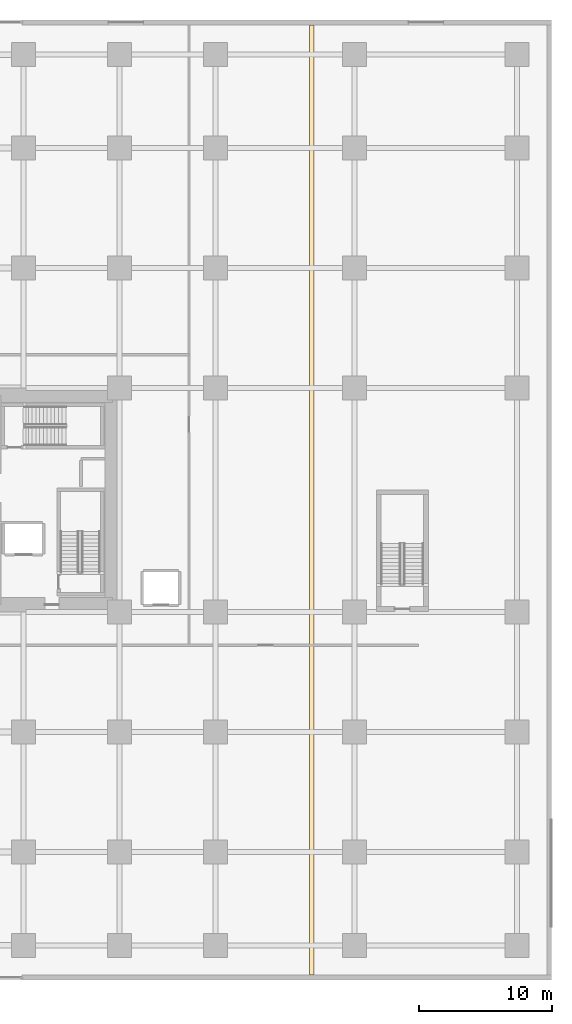
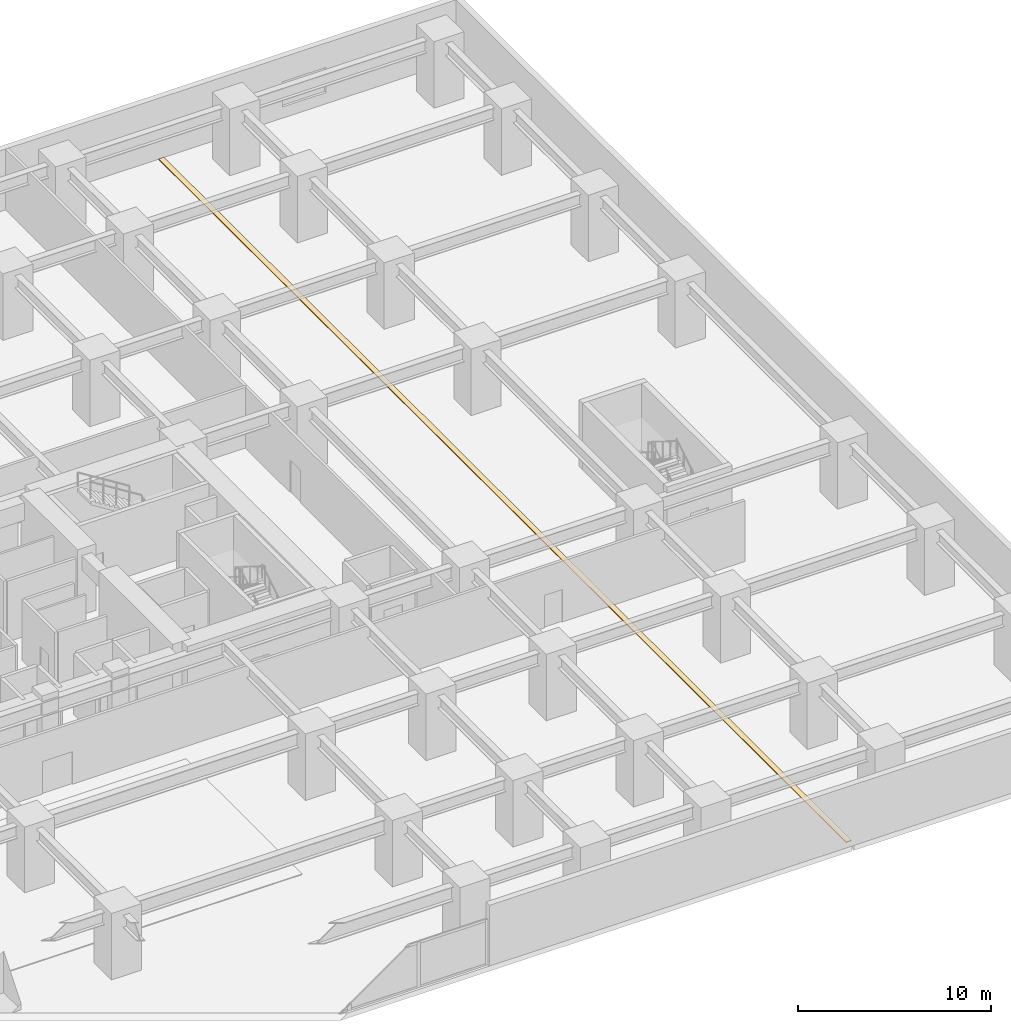
# One storey, part 21 of 22: 1 covering.
"""IFC4 building model written with IfcOpenShell, lengths in metres."""

import ifcopenshell
import ifcopenshell.guid

model = None  # the IFC model being written
_history = None  # IfcOwnerHistory: only IFC2X3 demands one
_inside = {}  # id of a spatial element -> (the spatial element, [elements in it])
_under = {}  # id of a project, library or spatial element -> (it, [spatial elements below it])
_declared = {}  # id of a project -> (the project, [libraries it declares])
_typed = {}  # id of a type object -> (the type object, [elements of that type])
_made_of = {}  # id of a material, layer set ... -> (it, [elements and type objects made of it])


def new_model(schema):
    """Start an empty IFC model of exactly this schema.

    Asked for "IFC4X3", IfcOpenShell would pick the latest addendum, in which some entities
    have other attributes; the version numbers below select the first issue.
    IFC2X3 requires an IfcOwnerHistory on every rooted entity: one is made here for all.
    """
    global model, _history
    if schema == "IFC4X3":
        model = ifcopenshell.file(schema_version=(4, 3, 0, 0))
    else:
        model = ifcopenshell.file(schema=schema)
    _inside.clear()
    _under.clear()
    _declared.clear()
    _typed.clear()
    _made_of.clear()
    _history = None
    if model.schema == "IFC2X3":
        org = make("IfcOrganization", Name="unknown")
        user = make(
            "IfcPersonAndOrganization",
            ThePerson=make("IfcPerson", FamilyName="unknown"),
            TheOrganization=org,
        )
        app = make(
            "IfcApplication",
            ApplicationDeveloper=org,
            Version="unknown",
            ApplicationFullName="unknown",
            ApplicationIdentifier="unknown",
        )
        _history = make(
            "IfcOwnerHistory",
            OwningUser=user,
            OwningApplication=app,
            ChangeAction="ADDED",
            CreationDate=0,
        )
    return model


def make(cls, **values):
    """One entity of the class cls with the attributes given. An attribute that is None is left unset."""
    return model.create_entity(
        cls, **{name: value for name, value in values.items() if value is not None}
    )


def rooted(cls, **values):
    """An entity with a GlobalId (a new one), such as an element, a storey or a relation."""
    return make(cls, GlobalId=ifcopenshell.guid.new(), OwnerHistory=_history, **values)


def si_unit(unit_type, name, prefix=None):
    """IfcSIUnit, for example si_unit("LENGTHUNIT", "METRE", prefix="MILLI")."""
    return make("IfcSIUnit", UnitType=unit_type, Prefix=prefix, Name=name)


def assignment(units):
    """IfcUnitAssignment: the units of a project."""
    return None if units is None else make("IfcUnitAssignment", Units=units)


def point(xyz):
    """IfcCartesianPoint."""
    return None if xyz is None else make("IfcCartesianPoint", Coordinates=xyz)


def direction(xyz):
    """IfcDirection."""
    return None if xyz is None else make("IfcDirection", DirectionRatios=xyz)


def frame(location, z_axis=None, x_axis=None):
    """IfcAxis2Placement3D, a coordinate frame: its origin and axes. An axis left out is left unset."""
    return make(
        "IfcAxis2Placement3D",
        Location=point(location),
        Axis=direction(z_axis),
        RefDirection=direction(x_axis),
    )


def origin():
    """The frame at (0, 0, 0) with its axes left unset."""
    return frame((0.0, 0.0, 0.0))


def place(relative_to, where):
    """IfcLocalPlacement: puts the frame where relative to a parent placement (None: the world)."""
    return make(
        "IfcLocalPlacement", PlacementRelTo=relative_to, RelativePlacement=where
    )


def context(
    kind, dimensions, precision=None, world=None, true_north=None, identifier=None
):
    """IfcGeometricRepresentationContext, for example the 3D "Model" context."""
    return make(
        "IfcGeometricRepresentationContext",
        ContextIdentifier=identifier,
        ContextType=kind,
        CoordinateSpaceDimension=dimensions,
        Precision=precision,
        WorldCoordinateSystem=world,
        TrueNorth=true_north,
    )


def subcontext(parent, identifier, kind, view, scale=None):
    """IfcGeometricRepresentationSubContext, for example "Body" below "Model"."""
    return make(
        "IfcGeometricRepresentationSubContext",
        ContextIdentifier=identifier,
        ContextType=kind,
        ParentContext=parent,
        TargetScale=scale,
        TargetView=view,
    )


def project(units=None, contexts=None):
    """IfcProject with its units and contexts."""
    return rooted(
        "IfcProject",
        Name="project",
        RepresentationContexts=contexts,
        UnitsInContext=assignment(units),
    )


def spatial(cls, under=None, at=None, **own):
    """A site, building, storey or space (cls), placed at a placement, below another one or the project."""
    s = rooted(cls, ObjectPlacement=at, **own)
    if under is not None:
        _under.setdefault(under.id(), (under, []))[1].append(s)
    return s


def polyline(points):
    """IfcPolyline through the points."""
    return make("IfcPolyline", Points=[point(p) for p in points])


def outline(outer, holes=None, kind="AREA"):
    """IfcArbitraryClosedProfileDef: a profile drawn as a closed curve; with holes, ...WithVoids."""
    if holes is None:
        return make("IfcArbitraryClosedProfileDef", ProfileType=kind, OuterCurve=outer)
    return make(
        "IfcArbitraryProfileDefWithVoids",
        ProfileType=kind,
        OuterCurve=outer,
        InnerCurves=holes,
    )


def extrude(swept, where, along, depth):
    """IfcExtrudedAreaSolid: the profile swept, set in the frame where, extruded along a direction by depth."""
    return make(
        "IfcExtrudedAreaSolid",
        SweptArea=swept,
        Position=where,
        ExtrudedDirection=direction(along),
        Depth=depth,
    )


def shape(context_of_items, identifier, shape_type, items):
    """IfcShapeRepresentation: the items that make up one representation, for example the "Body"."""
    return make(
        "IfcShapeRepresentation",
        ContextOfItems=context_of_items,
        RepresentationIdentifier=identifier,
        RepresentationType=shape_type,
        Items=items,
    )


def material(Name=None, Category=None):
    """IfcMaterial."""
    return make("IfcMaterial", Name=Name, Category=Category)


def layer(
    of_material, thickness, ventilated=None, Name=None, Category=None, Priority=None
):
    """IfcMaterialLayer: one layer of a wall or slab, of a material (None: an air gap)."""
    return make(
        "IfcMaterialLayer",
        Material=of_material,
        LayerThickness=thickness,
        IsVentilated=ventilated,
        Name=Name,
        Category=Category,
        Priority=Priority,
    )


def layer_set(layers, Name=None):
    """IfcMaterialLayerSet."""
    return make("IfcMaterialLayerSet", MaterialLayers=layers, LayerSetName=Name)


def made_of(thing, what):
    """Note that an element or type object is made of a material, layer set ...; save() writes the relation."""
    if what is not None:
        _made_of.setdefault(what.id(), (what, []))[1].append(thing)
    return thing


def type_object(cls, material=None, **own):
    """A type object (cls), such as IfcWallType, which elements share."""
    return made_of(rooted(cls, **own), material)


def element(
    cls,
    number,
    at=None,
    inside=None,
    cuts=None,
    type_object=None,
    material=None,
    context=None,
    identifier="Body",
    shape_type=None,
    held_by="IfcProductDefinitionShape",
    body=None,
    shapes=None,
    **own,
):
    """One element of the class cls, such as IfcWall. Its Tag is "e" and its number.

    at: its placement. inside: the storey or other place that contains it. cuts: it is an
    opening in that element (IfcRelVoidsElement). A single representation is given by context,
    identifier, shape_type and body (its items); several are given by shapes. held_by: the class
    of the entity that holds the representations. save() writes the other relations.
    """
    e = rooted(cls, Tag="e%d" % number, ObjectPlacement=at, **own)
    if body is not None:
        shapes = [shape(context, identifier, shape_type, body)]
    if shapes is not None:
        e.Representation = make(held_by, Representations=shapes)
    if inside is not None:
        _inside.setdefault(inside.id(), (inside, []))[1].append(e)
    if cuts is not None:
        rooted(
            "IfcRelVoidsElement", RelatingBuildingElement=cuts, RelatedOpeningElement=e
        )
    if type_object is not None:
        _typed.setdefault(type_object.id(), (type_object, []))[1].append(e)
    return made_of(e, material)


def aggregate(whole, parts):
    """IfcRelAggregates: a whole, such as a stair, and the parts it consists of."""
    return rooted("IfcRelAggregates", RelatingObject=whole, RelatedObjects=parts)


def save(model, path):
    """Write the relations noted so far, then the file.

    IfcRelAggregates (storeys below a building ...), IfcRelContainedInSpatialStructure (elements
    in a storey), IfcRelDefinesByType, IfcRelAssociatesMaterial and IfcRelDeclares: one each for
    every whole, place, type object, material and project.
    """
    for whole, parts in _under.values():
        aggregate(whole, parts)
    for where, things in _inside.values():
        rooted(
            "IfcRelContainedInSpatialStructure",
            RelatedElements=things,
            RelatingStructure=where,
        )
    for kind, things in _typed.values():
        rooted("IfcRelDefinesByType", RelatedObjects=things, RelatingType=kind)
    for what, things in _made_of.values():
        rooted("IfcRelAssociatesMaterial", RelatedObjects=things, RelatingMaterial=what)
    for by, libraries in _declared.values():
        rooted("IfcRelDeclares", RelatingContext=by, RelatedDefinitions=libraries)
    model.write(path)


model = new_model("IFC4")

# Units and contexts
model_context = context("Model", 3, precision=1e-05, world=origin(), true_north=direction((0.0, 1.0)))
body_context = subcontext(model_context, "Body", "Model", "MODEL_VIEW")
ifc_project = project(units=[si_unit("LENGTHUNIT", "METRE"), si_unit("AREAUNIT", "SQUARE_METRE"), si_unit("VOLUMEUNIT", "CUBIC_METRE"), si_unit("PLANEANGLEUNIT", "RADIAN"), si_unit("MASSUNIT", "GRAM", prefix="KILO")], contexts=[model_context])

# Site, building, storey
site_placement = place(None, origin())
site = spatial("IfcSite", under=ifc_project, at=site_placement, CompositionType="ELEMENT")
building_placement = place(site_placement, origin())
building = spatial("IfcBuilding", under=site, at=building_placement, Name="Kiyonajd Concourse Tower", CompositionType="ELEMENT")
storey_placement = place(building_placement, frame((0.0, 0.0, 12.89990234375)))
storey = spatial("IfcBuildingStorey", under=building, at=storey_placement, Name="L04", CompositionType="ELEMENT", Elevation=12.89990234375)

# Covering
ifc_material = material(Name="Riyadh Jubaila Limestone", Category="masonry")
ifc_layer = layer(ifc_material, 0.050048828125)
ifc_layer_set = layer_set([ifc_layer], Name="Riyadh Jubaila Limestone")
covering_type = type_object("IfcCoveringType", Name="CV-FLR-RAISED", PredefinedType="FLOORING", material=ifc_layer_set)
covering_placement = place(storey_placement, origin())
element("IfcCovering", 1, at=covering_placement, inside=storey, type_object=covering_type, Name="L04 Seismic Movement Joint MJ1 Floor Cover Assembly", PredefinedType="FLOORING", context=body_context, shape_type="SweptSolid", body=[
    extrude(outline(polyline([(77.840087890625, 0.39990234375), (78.159912109375, 0.39990234375), (78.159912109375, 71.60009765625), (77.840087890625, 71.60009765625), (77.840087890625, 0.39990234375)])), origin(), (0.0, 0.0, 1.0), 0.050048828125),
])

save(model, "model.ifc")
